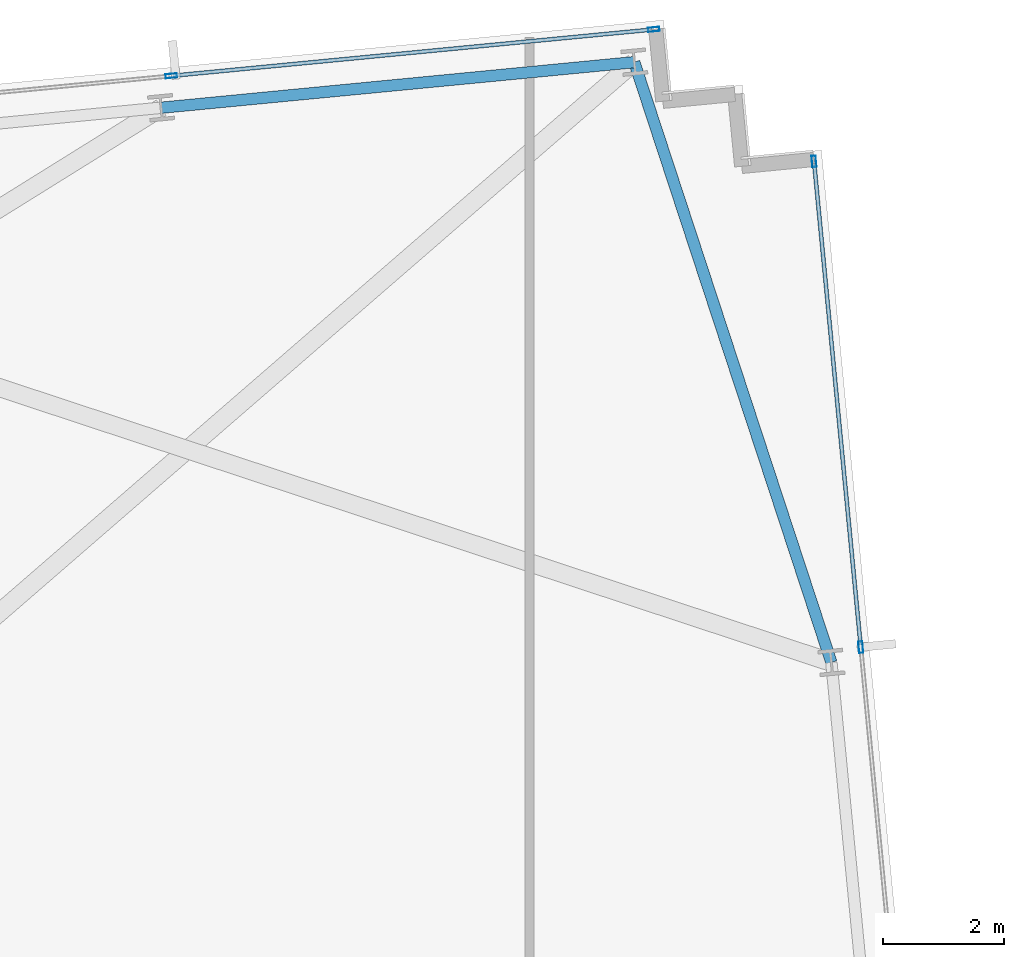
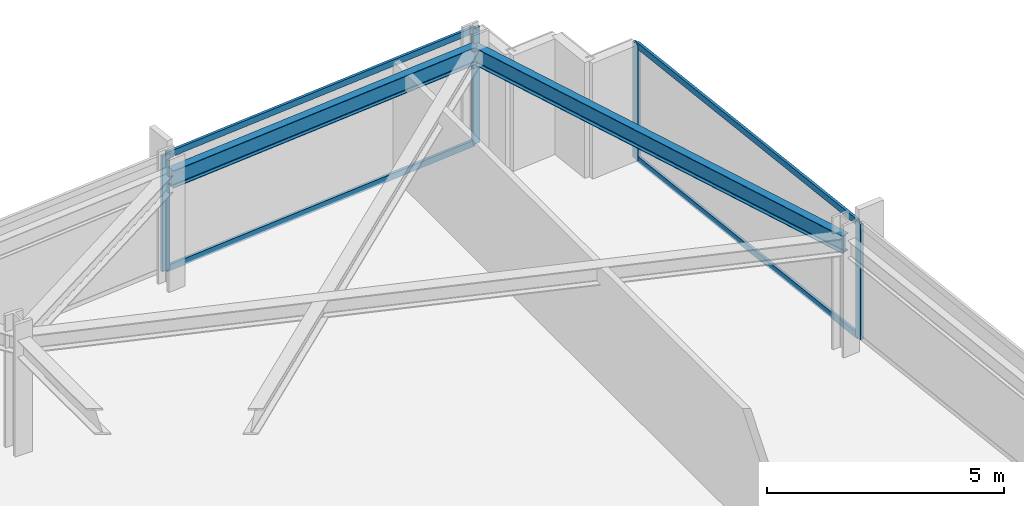
# One storey, part 23 of 32: 8 members, 2 beams, 2 elements without a shape of their own.
"""IFC4 building model written with IfcOpenShell, lengths in metres."""

import ifcopenshell
import ifcopenshell.guid

model = None  # the IFC model being written
_history = None  # IfcOwnerHistory: only IFC2X3 demands one
_inside = {}  # id of a spatial element -> (the spatial element, [elements in it])
_under = {}  # id of a project, library or spatial element -> (it, [spatial elements below it])
_declared = {}  # id of a project -> (the project, [libraries it declares])
_typed = {}  # id of a type object -> (the type object, [elements of that type])
_made_of = {}  # id of a material, layer set ... -> (it, [elements and type objects made of it])


def new_model(schema):
    """Start an empty IFC model of exactly this schema.

    Asked for "IFC4X3", IfcOpenShell would pick the latest addendum, in which some entities
    have other attributes; the version numbers below select the first issue.
    IFC2X3 requires an IfcOwnerHistory on every rooted entity: one is made here for all.
    """
    global model, _history
    if schema == "IFC4X3":
        model = ifcopenshell.file(schema_version=(4, 3, 0, 0))
    else:
        model = ifcopenshell.file(schema=schema)
    _inside.clear()
    _under.clear()
    _declared.clear()
    _typed.clear()
    _made_of.clear()
    _history = None
    if model.schema == "IFC2X3":
        org = make("IfcOrganization", Name="unknown")
        user = make(
            "IfcPersonAndOrganization",
            ThePerson=make("IfcPerson", FamilyName="unknown"),
            TheOrganization=org,
        )
        app = make(
            "IfcApplication",
            ApplicationDeveloper=org,
            Version="unknown",
            ApplicationFullName="unknown",
            ApplicationIdentifier="unknown",
        )
        _history = make(
            "IfcOwnerHistory",
            OwningUser=user,
            OwningApplication=app,
            ChangeAction="ADDED",
            CreationDate=0,
        )
    return model


def make(cls, **values):
    """One entity of the class cls with the attributes given. An attribute that is None is left unset."""
    return model.create_entity(
        cls, **{name: value for name, value in values.items() if value is not None}
    )


def rooted(cls, **values):
    """An entity with a GlobalId (a new one), such as an element, a storey or a relation."""
    return make(cls, GlobalId=ifcopenshell.guid.new(), OwnerHistory=_history, **values)


def si_unit(unit_type, name, prefix=None):
    """IfcSIUnit, for example si_unit("LENGTHUNIT", "METRE", prefix="MILLI")."""
    return make("IfcSIUnit", UnitType=unit_type, Prefix=prefix, Name=name)


def assignment(units):
    """IfcUnitAssignment: the units of a project."""
    return None if units is None else make("IfcUnitAssignment", Units=units)


def point(xyz):
    """IfcCartesianPoint."""
    return None if xyz is None else make("IfcCartesianPoint", Coordinates=xyz)


def direction(xyz):
    """IfcDirection."""
    return None if xyz is None else make("IfcDirection", DirectionRatios=xyz)


def frame(location, z_axis=None, x_axis=None):
    """IfcAxis2Placement3D, a coordinate frame: its origin and axes. An axis left out is left unset."""
    return make(
        "IfcAxis2Placement3D",
        Location=point(location),
        Axis=direction(z_axis),
        RefDirection=direction(x_axis),
    )


def frame_2d(location, x_axis=None):
    """IfcAxis2Placement2D, a coordinate frame in the plane: its origin and x axis."""
    return make(
        "IfcAxis2Placement2D", Location=point(location), RefDirection=direction(x_axis)
    )


def origin():
    """The frame at (0, 0, 0) with its axes left unset."""
    return frame((0.0, 0.0, 0.0))


def origin_2d():
    """The frame at (0, 0) in the plane with its x axis left unset."""
    return frame_2d((0.0, 0.0))


def place(relative_to, where):
    """IfcLocalPlacement: puts the frame where relative to a parent placement (None: the world)."""
    return make(
        "IfcLocalPlacement", PlacementRelTo=relative_to, RelativePlacement=where
    )


def context(
    kind, dimensions, precision=None, world=None, true_north=None, identifier=None
):
    """IfcGeometricRepresentationContext, for example the 3D "Model" context."""
    return make(
        "IfcGeometricRepresentationContext",
        ContextIdentifier=identifier,
        ContextType=kind,
        CoordinateSpaceDimension=dimensions,
        Precision=precision,
        WorldCoordinateSystem=world,
        TrueNorth=true_north,
    )


def subcontext(parent, identifier, kind, view, scale=None):
    """IfcGeometricRepresentationSubContext, for example "Body" below "Model"."""
    return make(
        "IfcGeometricRepresentationSubContext",
        ContextIdentifier=identifier,
        ContextType=kind,
        ParentContext=parent,
        TargetScale=scale,
        TargetView=view,
    )


def project(units=None, contexts=None):
    """IfcProject with its units and contexts."""
    return rooted(
        "IfcProject",
        Name="project",
        RepresentationContexts=contexts,
        UnitsInContext=assignment(units),
    )


def spatial(cls, under=None, at=None, **own):
    """A site, building, storey or space (cls), placed at a placement, below another one or the project."""
    s = rooted(cls, ObjectPlacement=at, **own)
    if under is not None:
        _under.setdefault(under.id(), (under, []))[1].append(s)
    return s


def profile(cls, at=None, kind="AREA", **sizes):
    """A parametric profile (cls). Its sizes go by their IFC names, for example OverallWidth=200.0."""
    return make(cls, ProfileType=kind, Position=at, **sizes)


def hollow_rectangle(**sizes):
    """IfcRectangleHollowProfileDef."""
    return profile("IfcRectangleHollowProfileDef", **sizes)


def i_section(**sizes):
    """IfcIShapeProfileDef."""
    return profile("IfcIShapeProfileDef", **sizes)


def extrude(swept, where, along, depth):
    """IfcExtrudedAreaSolid: the profile swept, set in the frame where, extruded along a direction by depth."""
    return make(
        "IfcExtrudedAreaSolid",
        SweptArea=swept,
        Position=where,
        ExtrudedDirection=direction(along),
        Depth=depth,
    )


def shape(context_of_items, identifier, shape_type, items):
    """IfcShapeRepresentation: the items that make up one representation, for example the "Body"."""
    return make(
        "IfcShapeRepresentation",
        ContextOfItems=context_of_items,
        RepresentationIdentifier=identifier,
        RepresentationType=shape_type,
        Items=items,
    )


def material(Name=None, Category=None):
    """IfcMaterial."""
    return make("IfcMaterial", Name=Name, Category=Category)


def material_profile(
    of_material, cross_section, Name=None, Category=None, Priority=None
):
    """IfcMaterialProfile: a cross section and its material."""
    return make(
        "IfcMaterialProfile",
        Name=Name,
        Material=of_material,
        Profile=cross_section,
        Priority=Priority,
        Category=Category,
    )


def profile_set(profiles, Name=None, composite=None):
    """IfcMaterialProfileSet."""
    return make(
        "IfcMaterialProfileSet",
        Name=Name,
        MaterialProfiles=profiles,
        CompositeProfile=composite,
    )


def made_of(thing, what):
    """Note that an element or type object is made of a material, layer set ...; save() writes the relation."""
    if what is not None:
        _made_of.setdefault(what.id(), (what, []))[1].append(thing)
    return thing


def type_object(cls, material=None, **own):
    """A type object (cls), such as IfcWallType, which elements share."""
    return made_of(rooted(cls, **own), material)


def element(
    cls,
    number,
    at=None,
    inside=None,
    cuts=None,
    type_object=None,
    material=None,
    context=None,
    identifier="Body",
    shape_type=None,
    held_by="IfcProductDefinitionShape",
    body=None,
    shapes=None,
    **own,
):
    """One element of the class cls, such as IfcWall. Its Tag is "e" and its number.

    at: its placement. inside: the storey or other place that contains it. cuts: it is an
    opening in that element (IfcRelVoidsElement). A single representation is given by context,
    identifier, shape_type and body (its items); several are given by shapes. held_by: the class
    of the entity that holds the representations. save() writes the other relations.
    """
    e = rooted(cls, Tag="e%d" % number, ObjectPlacement=at, **own)
    if body is not None:
        shapes = [shape(context, identifier, shape_type, body)]
    if shapes is not None:
        e.Representation = make(held_by, Representations=shapes)
    if inside is not None:
        _inside.setdefault(inside.id(), (inside, []))[1].append(e)
    if cuts is not None:
        rooted(
            "IfcRelVoidsElement", RelatingBuildingElement=cuts, RelatedOpeningElement=e
        )
    if type_object is not None:
        _typed.setdefault(type_object.id(), (type_object, []))[1].append(e)
    return made_of(e, material)


def aggregate(whole, parts):
    """IfcRelAggregates: a whole, such as a stair, and the parts it consists of."""
    return rooted("IfcRelAggregates", RelatingObject=whole, RelatedObjects=parts)


def save(model, path):
    """Write the relations noted so far, then the file.

    IfcRelAggregates (storeys below a building ...), IfcRelContainedInSpatialStructure (elements
    in a storey), IfcRelDefinesByType, IfcRelAssociatesMaterial and IfcRelDeclares: one each for
    every whole, place, type object, material and project.
    """
    for whole, parts in _under.values():
        aggregate(whole, parts)
    for where, things in _inside.values():
        rooted(
            "IfcRelContainedInSpatialStructure",
            RelatedElements=things,
            RelatingStructure=where,
        )
    for kind, things in _typed.values():
        rooted("IfcRelDefinesByType", RelatedObjects=things, RelatingType=kind)
    for what, things in _made_of.values():
        rooted("IfcRelAssociatesMaterial", RelatedObjects=things, RelatingMaterial=what)
    for by, libraries in _declared.values():
        rooted("IfcRelDeclares", RelatingContext=by, RelatedDefinitions=libraries)
    model.write(path)


model = new_model("IFC4")

# Units and contexts
model_context = context("Model", 3, precision=1e-05, world=origin(), true_north=direction((0.0, 1.0)))
body_context = subcontext(model_context, "Body", "Model", "MODEL_VIEW")
ifc_project = project(units=[si_unit("LENGTHUNIT", "METRE"), si_unit("AREAUNIT", "SQUARE_METRE"), si_unit("VOLUMEUNIT", "CUBIC_METRE"), si_unit("PLANEANGLEUNIT", "RADIAN"), si_unit("MASSUNIT", "GRAM", prefix="KILO")], contexts=[model_context])

# Site, building, storey
site_placement = place(None, origin())
site = spatial("IfcSite", under=ifc_project, at=site_placement, CompositionType="ELEMENT")
building_placement = place(site_placement, origin())
building = spatial("IfcBuilding", under=site, at=building_placement, Name="Yelkora Congress Tower", CompositionType="ELEMENT")
storey_placement = place(building_placement, frame((0.0, 0.0, 133.89990234375)))
storey = spatial("IfcBuildingStorey", under=building, at=storey_placement, Name="L36", CompositionType="ELEMENT", Elevation=133.89990234375)

# Beams
ifc_material_1 = material(Name="Steel S355J2", Category="steel")
ifc_material_profile_1 = material_profile(ifc_material_1, i_section(OverallWidth=0.18994140625, OverallDepth=0.449951171875, WebThickness=0.009521484375, FlangeThickness=0.0146484375, FilletRadius=0.02099609375, at=origin_2d()), Name="IPE 450")
ifc_profile_set_1 = profile_set([ifc_material_profile_1], Name="Steel S355J2")
beam_type = type_object("IfcBeamType", Name="BM-SPAN-IPE450", PredefinedType="SPANDREL", material=ifc_profile_set_1)
beam_1_placement = place(storey_placement, frame((74.522216796875, 40.610595703125, 2.755126953125), z_axis=(-0.311961656523, 0.950094692575, 0.0), x_axis=(-0.950094692575, -0.311961656523, 0.0)))
element("IfcBeam", 1, at=beam_1_placement, inside=storey, type_object=beam_type, Name="L36 Perimeter Beam 13", PredefinedType="SPANDREL", context=body_context, shape_type="SweptSolid", body=[
    extrude(i_section(OverallWidth=0.18994140625, OverallDepth=0.449951171875, WebThickness=0.009521484375, FlangeThickness=0.0146484375, FilletRadius=0.02099609375, at=origin_2d()), origin(), (0.0, 0.0, 1.0), 10.48046875),
])
beam_2_placement = place(storey_placement, frame((71.252685546875, 50.568115234375, 2.755126953125), z_axis=(-0.995392621281, -0.095882894719, 0.0), x_axis=(0.095882894719, -0.995392621281, 0.0)))
element("IfcBeam", 2, at=beam_2_placement, inside=storey, type_object=beam_type, Name="L36 Perimeter Beam 14", PredefinedType="SPANDREL", context=body_context, shape_type="SweptSolid", body=[
    extrude(i_section(OverallWidth=0.18994140625, OverallDepth=0.449951171875, WebThickness=0.009521484375, FlangeThickness=0.0146484375, FilletRadius=0.02099609375, at=origin_2d()), origin(), (0.0, 0.0, 1.0), 7.8857421875),
])

# Curtain wall, members
ifc_material_2 = material(Name="Anodised aluminium and insulated glass", Category="aluminium")
curtain_wall_type = type_object("IfcCurtainWallType", Name="CW-SYS-B2", PredefinedType="NOTDEFINED", material=ifc_material_2)
curtain_wall_1_placement = place(storey_placement, origin())
curtain_wall_1 = element("IfcCurtainWall", 3, at=curtain_wall_1_placement, inside=storey, type_object=curtain_wall_type, Name="L36 Unitised Curtain Wall 10 (3)", PredefinedType="NOTDEFINED")
ifc_material_3 = material(Name="Anodised aluminium 6063-T6", Category="aluminium")
ifc_material_profile_2 = material_profile(ifc_material_3, hollow_rectangle(XDim=0.070068359375, YDim=0.18994140625, WallThickness=0.00390625, at=origin_2d()), Name="ALU 70x190x4")
ifc_profile_set_2 = profile_set([ifc_material_profile_2], Name="Anodised aluminium 6063-T6")
member_type_1 = type_object("IfcMemberType", Name="MEM-ML-B2", PredefinedType="MULLION", material=ifc_profile_set_2)
member_1_placement = place(storey_placement, frame((63.572021484375, 50.3408203125, 0.0), z_axis=(0.0, 0.0, 1.0), x_axis=(-0.095844238468, 0.995396344153, 0.0)))
member_1 = element("IfcMember", 4, at=member_1_placement, type_object=member_type_1, Name="CW-B2 mullion 6", PredefinedType="MULLION", context=body_context, shape_type="SweptSolid", body=[
    extrude(hollow_rectangle(XDim=0.070068359375, YDim=0.18994140625, WallThickness=0.00390625, at=origin_2d()), origin(), (0.0, 0.0, 1.0), 2.97998046875),
])
member_2_placement = place(storey_placement, frame((71.5771484375, 51.111572265625, 0.0), z_axis=(0.0, 0.0, 1.0), x_axis=(-0.095844238468, 0.995396344153, 0.0)))
member_2 = element("IfcMember", 5, at=member_2_placement, type_object=member_type_1, Name="CW-B2 mullion 7", PredefinedType="MULLION", context=body_context, shape_type="SweptSolid", body=[
    extrude(hollow_rectangle(XDim=0.070068359375, YDim=0.18994140625, WallThickness=0.00390625, at=origin_2d()), origin(), (0.0, 0.0, 1.0), 2.97998046875),
])

curtain_wall_2_placement = place(storey_placement, origin())
curtain_wall_2 = element("IfcCurtainWall", 6, at=curtain_wall_2_placement, inside=storey, type_object=curtain_wall_type, Name="L36 Unitised Curtain Wall 15", PredefinedType="NOTDEFINED")
member_3_placement = place(storey_placement, frame((74.234375, 48.921142578125, 0.0), z_axis=(0.0, 0.0, 1.0), x_axis=(0.995396507508, 0.095842541913, 0.0)))
member_3 = element("IfcMember", 7, at=member_3_placement, type_object=member_type_1, Name="CW-B2 mullion 1", PredefinedType="MULLION", context=body_context, shape_type="SweptSolid", body=[
    extrude(hollow_rectangle(XDim=0.070068359375, YDim=0.18994140625, WallThickness=0.00390625, at=origin_2d()), origin(), (0.0, 0.0, 1.0), 2.97998046875),
])
member_4_placement = place(storey_placement, frame((75.010009765625, 40.863525390625, 0.0), z_axis=(0.0, 0.0, 1.0), x_axis=(0.995396507508, 0.095842541913, 0.0)))
member_4 = element("IfcMember", 8, at=member_4_placement, type_object=member_type_1, Name="CW-B2 mullion 2", PredefinedType="MULLION", context=body_context, shape_type="SweptSolid", body=[
    extrude(hollow_rectangle(XDim=0.070068359375, YDim=0.18994140625, WallThickness=0.00390625, at=origin_2d()), origin(), (0.0, 0.0, 1.0), 2.97998046875),
])

# Member
ifc_material_profile_3 = material_profile(ifc_material_3, hollow_rectangle(XDim=0.06494140625, YDim=0.159912109375, WallThickness=0.00390625, at=origin_2d()), Name="ALU 65x160x4")
ifc_profile_set_3 = profile_set([ifc_material_profile_3], Name="Anodised aluminium 6063-T6")
member_type_2 = type_object("IfcMemberType", Name="MEM-TR-B2", PredefinedType="USERDEFINED", material=ifc_profile_set_3)
member_5_placement = place(storey_placement, frame((63.606689453125, 50.343994140625, 0.03271484375), z_axis=(0.995395553311, 0.095852451448, 0.0), x_axis=(-0.095852451448, 0.995395553311, 0.0)))
member_5 = element("IfcMember", 9, at=member_5_placement, type_object=member_type_2, Name="CW-B2 transom 6.1", ObjectType="TRANSOM", PredefinedType="USERDEFINED", context=body_context, shape_type="SweptSolid", body=[
    extrude(hollow_rectangle(XDim=0.06494140625, YDim=0.159912109375, WallThickness=0.00390625, at=origin_2d()), origin(), (0.0, 0.0, 1.0), 7.97216796875),
])

member_6_placement = place(storey_placement, frame((63.606689453125, 50.343994140625, 2.947509765625), z_axis=(0.995395553311, 0.095852451448, 0.0), x_axis=(-0.095852451448, 0.995395553311, 0.0)))
member_6 = element("IfcMember", 10, at=member_6_placement, type_object=member_type_2, Name="CW-B2 transom 6.2", ObjectType="TRANSOM", PredefinedType="USERDEFINED", context=body_context, shape_type="SweptSolid", body=[
    extrude(hollow_rectangle(XDim=0.06494140625, YDim=0.159912109375, WallThickness=0.00390625, at=origin_2d()), origin(), (0.0, 0.0, 1.0), 7.97216796875),
])

aggregate(curtain_wall_1, [member_1, member_2, member_5, member_6])

member_7_placement = place(storey_placement, frame((74.237548828125, 48.88623046875, 0.03271484375), z_axis=(0.095861385662, -0.995394692943, 0.0), x_axis=(0.995394692943, 0.095861385662, 0.0)))
member_7 = element("IfcMember", 11, at=member_7_placement, type_object=member_type_2, Name="CW-B2 transom 1.1", ObjectType="TRANSOM", PredefinedType="USERDEFINED", context=body_context, shape_type="SweptSolid", body=[
    extrude(hollow_rectangle(XDim=0.06494140625, YDim=0.159912109375, WallThickness=0.00390625, at=origin_2d()), origin(), (0.0, 0.0, 1.0), 8.02490234375),
])

member_8_placement = place(storey_placement, frame((74.237548828125, 48.88623046875, 2.947509765625), z_axis=(0.095861385662, -0.995394692943, 0.0), x_axis=(0.995394692943, 0.095861385662, 0.0)))
member_8 = element("IfcMember", 12, at=member_8_placement, type_object=member_type_2, Name="CW-B2 transom 1.2", ObjectType="TRANSOM", PredefinedType="USERDEFINED", context=body_context, shape_type="SweptSolid", body=[
    extrude(hollow_rectangle(XDim=0.06494140625, YDim=0.159912109375, WallThickness=0.00390625, at=origin_2d()), origin(), (0.0, 0.0, 1.0), 8.02490234375),
])

aggregate(curtain_wall_2, [member_3, member_4, member_7, member_8])

save(model, "model.ifc")
